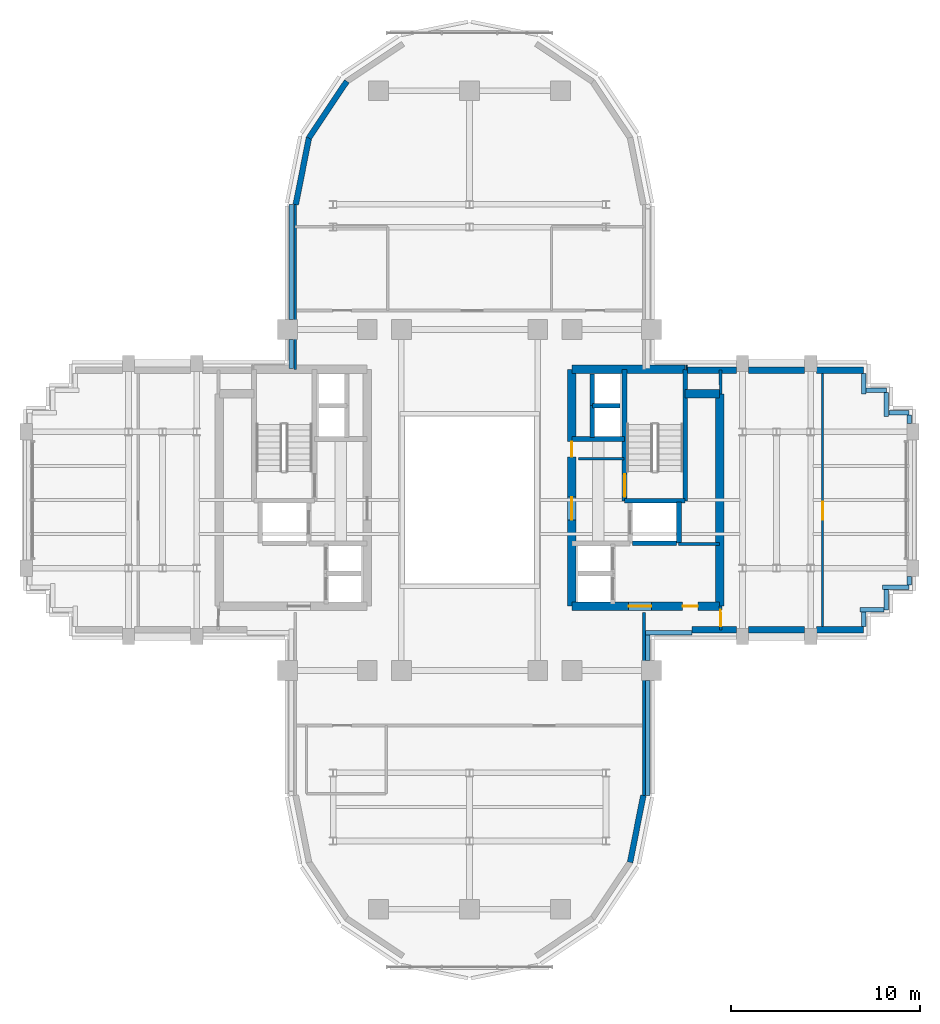
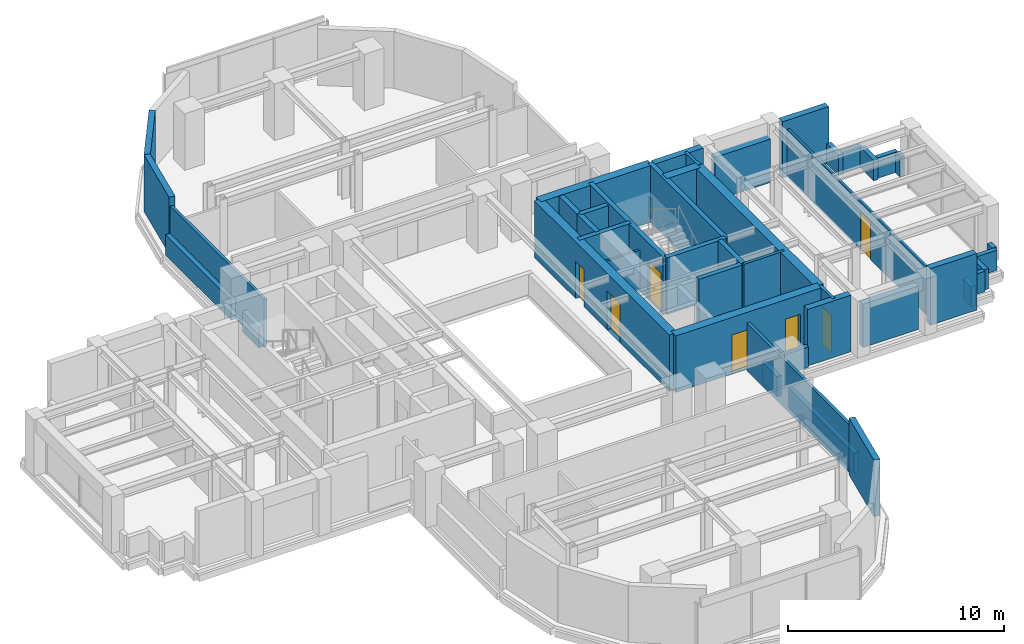
# One storey, part 9 of 13: 46 walls, 7 doors, 7 openings.
"""IFC4 building model written with IfcOpenShell, lengths in metres."""

from ifc_helpers import new_model, si_unit, direction, frame, frame_2d, origin, place, context, subcontext, project, spatial, rectangle, extrude, source, transform, mapped, material, layer, layer_set, type_object, element, fill, save


model = new_model("IFC4")

# Units and contexts
model_context = context("Model", 3, precision=1e-05, world=origin(), true_north=direction((0.0, 1.0)))
body_context = subcontext(model_context, "Body", "Model", "MODEL_VIEW")
ifc_project = project(units=[si_unit("LENGTHUNIT", "METRE"), si_unit("AREAUNIT", "SQUARE_METRE"), si_unit("VOLUMEUNIT", "CUBIC_METRE"), si_unit("PLANEANGLEUNIT", "RADIAN"), si_unit("MASSUNIT", "GRAM", prefix="KILO")], contexts=[model_context])

# Site, building, storey
site_placement = place(None, origin())
site = spatial("IfcSite", under=ifc_project, at=site_placement, CompositionType="ELEMENT")
building_placement = place(site_placement, origin())
building = spatial("IfcBuilding", under=site, at=building_placement, Name="Keilestroom Media Tower", CompositionType="ELEMENT")
storey_placement = place(building_placement, frame((0.0, 0.0, 138.0)))
storey = spatial("IfcBuildingStorey", under=building, at=storey_placement, Name="L37", CompositionType="ELEMENT", Elevation=138.0)

# Walls
ifc_material_1 = material(Name="Precast concrete C40/50", Category="concrete")
ifc_layer_1 = layer(ifc_material_1, 0.300048828125)
ifc_layer_set_1 = layer_set([ifc_layer_1], Name="Precast concrete C40/50")
wall_type_1 = type_object("IfcWallType", Name="Exterior-Masonry-Spandrel-Wall-300", PredefinedType="SOLIDWALL", material=ifc_layer_set_1)
for number, where, z_axis, x_axis, name in (
    (1, (-6.47705078125, 22.097900390625, 0.0), (0.0, 0.0, 1.0), (-0.555574187116, -0.831466970246, 0.0), "L37 Lobe Facet Precast Frame Wall 05"),
    (2, (-8.470703125, 19.12451171875, 0.0), (0.0, 0.0, 1.0), (-0.195114232679, -0.980780523974, 0.0), "L37 Lobe Facet Precast Frame Wall 06"),
    (3, (8.470703125, -19.12451171875, 0.0), (0.0, 0.0, 1.0), (0.195114232679, 0.980780523974, 0.0), "L37 Lobe Facet Precast Frame Wall 12"),
):
    element("IfcWall", number, at=place(storey_placement, frame(where, z_axis=z_axis, x_axis=x_axis)), inside=storey, type_object=wall_type_1, Name=name, PredefinedType="SOLIDWALL", context=body_context, shape_type="SweptSolid", body=[
        extrude(rectangle(XDim=3.608642578125, YDim=0.300048828125, at=frame_2d((1.80419921875, 0.0))), origin(), (0.0, 0.0, 1.0), 3.199951171875),
    ])
ifc_layer_2 = layer(ifc_material_1, 0.340087890625)
ifc_layer_set_2 = layer_set([ifc_layer_2], Name="Precast concrete C40/50")
wall_type_2 = type_object("IfcWallType", Name="Exterior-Masonry-Spandrel-Wall-340", PredefinedType="SOLIDWALL", material=ifc_layer_set_2)
wall_1_placement = place(storey_placement, frame((11.498046875, 6.85009765625, 0.0), z_axis=(0.0, 0.0, 1.0), x_axis=(1.0, 0.0, 0.0)))
element("IfcWall", 4, at=wall_1_placement, inside=storey, type_object=wall_type_2, Name="L37 Flank Masonry Wall EWL-L37-NE-1", PredefinedType="SOLIDWALL", context=body_context, shape_type="SweptSolid", body=[
    extrude(rectangle(XDim=2.5849609375, YDim=0.340087890625, at=frame_2d((1.29248046875, 0.0))), origin(), (0.0, 0.0, 1.0), 3.199951171875),
])
wall_2_placement = place(storey_placement, frame((14.717041015625, 6.85009765625, 0.0), z_axis=(0.0, 0.0, 1.0), x_axis=(1.0, 0.0, 0.0)))
element("IfcWall", 5, at=wall_2_placement, inside=storey, type_object=wall_type_2, Name="L37 Flank Masonry Wall EWL-L37-NE-2", PredefinedType="SOLIDWALL", context=body_context, shape_type="SweptSolid", body=[
    extrude(rectangle(XDim=2.966064453125, YDim=0.340087890625, at=frame_2d((1.48291015625, 0.0))), origin(), (0.0, 0.0, 1.0), 2.449951171875),
])
wall_3_placement = place(storey_placement, frame((18.31689453125, 6.85009765625, 0.0), z_axis=(0.0, 0.0, 1.0), x_axis=(1.0, 0.0, 0.0)))
element("IfcWall", 6, at=wall_3_placement, inside=storey, type_object=wall_type_2, Name="L37 Flank Masonry Wall EWL-L37-NE-3", PredefinedType="SOLIDWALL", context=body_context, shape_type="SweptSolid", body=[
    extrude(rectangle(XDim=2.483154296875, YDim=0.340087890625, at=frame_2d((1.24169921875, 0.0))), origin(), (0.0, 0.0, 1.0), 3.199951171875),
])
wall_4_placement = place(storey_placement, frame((11.75, -6.85009765625, 0.0), z_axis=(0.0, 0.0, 1.0), x_axis=(1.0, 0.0, 0.0)))
element("IfcWall", 7, at=wall_4_placement, inside=storey, type_object=wall_type_2, Name="L37 Flank Masonry Wall EWL-L37-SE-1", PredefinedType="SOLIDWALL", context=body_context, shape_type="SweptSolid", body=[
    extrude(rectangle(XDim=2.3330078125, YDim=0.340087890625, at=frame_2d((1.16650390625, 0.0))), origin(), (0.0, 0.0, 1.0), 3.199951171875),
])
wall_5_placement = place(storey_placement, frame((14.717041015625, -6.85009765625, 0.0), z_axis=(0.0, 0.0, 1.0), x_axis=(1.0, 0.0, 0.0)))
element("IfcWall", 8, at=wall_5_placement, inside=storey, type_object=wall_type_2, Name="L37 Flank Masonry Wall EWL-L37-SE-2", PredefinedType="SOLIDWALL", context=body_context, shape_type="SweptSolid", body=[
    extrude(rectangle(XDim=2.966064453125, YDim=0.340087890625, at=frame_2d((1.48291015625, 0.0))), origin(), (0.0, 0.0, 1.0), 2.449951171875),
])
wall_6_placement = place(storey_placement, frame((18.31689453125, -6.85009765625, 0.0), z_axis=(0.0, 0.0, 1.0), x_axis=(1.0, 0.0, 0.0)))
element("IfcWall", 9, at=wall_6_placement, inside=storey, type_object=wall_type_2, Name="L37 Flank Masonry Wall EWL-L37-SE-3", PredefinedType="SOLIDWALL", context=body_context, shape_type="SweptSolid", body=[
    extrude(rectangle(XDim=2.483154296875, YDim=0.340087890625, at=frame_2d((1.24169921875, 0.0))), origin(), (0.0, 0.0, 1.0), 3.199951171875),
])
ifc_material_2 = material(Name="Gypsum Plasterboard & Steel Stud", Category="steel")
ifc_layer_3 = layer(ifc_material_2, 0.1201171875)
ifc_layer_set_3 = layer_set([ifc_layer_3], Name="Gypsum Plasterboard & Steel Stud")
wall_type_3 = type_object("IfcWallType", Name="Interior-Partition-Wall-120", PredefinedType="PARTITIONING", material=ifc_layer_set_3)
wall_7_placement = place(storey_placement, frame((5.75, 2.179931640625, 0.0), z_axis=(0.0, 0.0, 1.0), x_axis=(1.0, 0.0, 0.0)))
element("IfcWall", 10, at=wall_7_placement, inside=storey, type_object=wall_type_3, Name="L37 Interior Wall WP-L37-CIE-S", PredefinedType="PARTITIONING", context=body_context, shape_type="SweptSolid", body=[
    extrude(rectangle(XDim=2.389892578125, YDim=0.1201171875, at=frame_2d((1.19482421875, 0.0))), origin(), (0.0, 0.0, 1.0), 2.300048828125),
])

# Wall, opening, door
wall_8_placement = place(storey_placement, frame((18.6298828125, -6.85009765625, 0.0), z_axis=(0.0, 0.0, 1.0), x_axis=(0.0, 1.0, 0.0)))
wall_8 = element("IfcWall", 11, at=wall_8_placement, inside=storey, type_object=wall_type_3, Name="L37 Interior Wall WP-L37-EA-V", PredefinedType="PARTITIONING", context=body_context, shape_type="SweptSolid", body=[
    extrude(rectangle(XDim=13.7001953125, YDim=0.1201171875, at=frame_2d((6.85009765625, 0.0))), origin(), (0.0, 0.0, 1.0), 2.699951171875),
])
opening_1_placement = place(wall_8_placement, frame((5.800048828125, 0.0, 0.0)))
opening_1 = element("IfcOpeningElement", 12, at=opening_1_placement, cuts=wall_8, Name="Opening DI-03", PredefinedType="OPENING", context=body_context, shape_type="SweptSolid", body=[
    extrude(rectangle(XDim=0.949951171875, YDim=2.14990234375, at=frame_2d((0.47509765625, 1.074951171875))), frame((0.0, 0.070068359375, 0.0), z_axis=(0.0, -1.0, 0.0), x_axis=(1.0, 0.0, 0.0)), (0.0, 0.0, 1.0), 0.14013671875),
])
ifc_material_3 = material(Name="Lacquered European Oak Leaf", Category="wood")
door_type_1 = type_object("IfcDoorType", Name="Interior-Room-And-Suite-Door-DI-03", OperationType="NOTDEFINED", PredefinedType="DOOR", material=ifc_material_3)
shared_shape_1 = source(origin(), body_context, "Body", "SweptSolid", [
    extrude(rectangle(XDim=0.949951171875, YDim=2.14990234375, at=frame_2d((0.47509765625, 1.074951171875))), frame((0.0, 0.02490234375, 0.0), z_axis=(0.0, -1.0, 0.0), x_axis=(1.0, 0.0, 0.0)), (0.0, 0.0, 1.0), 0.050048828125),
])
door_1_placement = place(opening_1_placement, origin())
door_1 = element("IfcDoor", 13, at=door_1_placement, inside=storey, type_object=door_type_1, Name="L37 Interior Door DI-L37-DEA-E", OperationType="SINGLE_SWING_LEFT", OverallHeight=2.14990234375, OverallWidth=0.949951171875, PredefinedType="DOOR", context=body_context, shape_type="MappedRepresentation", body=[
    mapped(shared_shape_1, transform((0.0, 0.0, 0.0), x_axis=(1.0, 0.0, 0.0), y_axis=(0.0, 1.0, 0.0), z_axis=(0.0, 0.0, 1.0), scale=1.0)),
])
fill(opening_1, door_1)

# Walls
ifc_layer_4 = layer(ifc_material_2, 0.14990234375)
ifc_layer_set_4 = layer_set([ifc_layer_4], Name="Gypsum Plasterboard & Steel Stud")
wall_type_4 = type_object("IfcWallType", Name="Interior-Partition-Wall-150", PredefinedType="PARTITIONING", material=ifc_layer_set_4)
wall_9_placement = place(storey_placement, frame((11.02001953125, -2.320068359375, 0.0), z_axis=(0.0, 0.0, 1.0), x_axis=(1.0, 0.0, 0.0)))
element("IfcWall", 14, at=wall_9_placement, inside=storey, type_object=wall_type_4, Name="L37 Interior Wall WP-L37-RECLE-N", PredefinedType="PARTITIONING", context=body_context, shape_type="SweptSolid", body=[
    extrude(rectangle(XDim=2.179931640625, YDim=0.14990234375, at=frame_2d((1.08984375, 0.0))), origin(), (0.0, 0.0, 1.0), 3.199951171875),
])
wall_10_placement = place(storey_placement, frame((-9.199951171875, 6.89990234375, 0.0), z_axis=(0.0, 0.0, 1.0), x_axis=(0.0, 1.0, 0.0)))
element("IfcWall", 15, at=wall_10_placement, inside=storey, type_object=wall_type_4, Name="L37 Interior Wall WP-L37-NL-CHKW", PredefinedType="PARTITIONING", context=body_context, shape_type="SweptSolid", body=[
    extrude(rectangle(XDim=8.780029296875, YDim=0.14990234375, at=frame_2d((4.39013671875, 0.0))), origin(), (0.0, 0.0, 1.0), 2.699951171875),
])
wall_11_placement = place(storey_placement, frame((9.199951171875, -15.679931640625, 0.0), z_axis=(0.0, 0.0, 1.0), x_axis=(0.0, 1.0, 0.0)))
element("IfcWall", 16, at=wall_11_placement, inside=storey, type_object=wall_type_4, Name="L37 Interior Wall WP-L37-SL-CHKE", PredefinedType="PARTITIONING", context=body_context, shape_type="SweptSolid", body=[
    extrude(rectangle(XDim=9.739990234375, YDim=0.14990234375, at=frame_2d((4.8701171875, 0.0))), origin(), (0.0, 0.0, 1.0), 2.699951171875),
])
wall_12_placement = place(storey_placement, frame((13.260009765625, 5.60009765625, 0.0), z_axis=(0.0, 0.0, 1.0), x_axis=(-0.016013571389, 0.999871774545, 0.0)))
element("IfcWall", 17, at=wall_12_placement, inside=storey, type_object=wall_type_4, Name="L37 Interior Wall WP-L37-EA-ENTN", PredefinedType="PARTITIONING", context=body_context, shape_type="SweptSolid", body=[
    extrude(rectangle(XDim=1.250244140625, YDim=0.14990234375, at=frame_2d((0.625, 0.0))), origin(), (0.0, 0.0, 1.0), 3.199951171875),
])

# Wall, opening, door
wall_13_placement = place(storey_placement, frame((13.260009765625, -6.85009765625, 0.0), z_axis=(0.0, 0.0, 1.0), x_axis=(-0.016013571389, 0.999871774545, 0.0)))
wall_13 = element("IfcWall", 18, at=wall_13_placement, inside=storey, type_object=wall_type_4, Name="L37 Interior Wall WP-L37-EA-ENTS", PredefinedType="PARTITIONING", context=body_context, shape_type="SweptSolid", body=[
    extrude(rectangle(XDim=1.250244140625, YDim=0.14990234375, at=frame_2d((0.625, 0.0))), origin(), (0.0, 0.0, 1.0), 3.199951171875),
])
opening_2_placement = place(wall_13_placement, frame((0.199951171875, 0.0, 0.0)))
opening_2 = element("IfcOpeningElement", 19, at=opening_2_placement, cuts=wall_13, Name="Opening DI-05", PredefinedType="OPENING", context=body_context, shape_type="SweptSolid", body=[
    extrude(rectangle(XDim=0.85009765625, YDim=2.10009765625, at=frame_2d((0.425048828125, 1.050048828125))), frame((0.0, 0.0849609375, 0.0), z_axis=(0.0, -1.0, 0.0), x_axis=(1.0, 0.0, 0.0)), (0.0, 0.0, 1.0), 0.169921875),
])
ifc_material_4 = material(Name="Moisture-Resistant Oak Leaf", Category="wood")
door_type_2 = type_object("IfcDoorType", Name="Interior-En-Suite-And-Cupboard-Door-DI-05", OperationType="NOTDEFINED", PredefinedType="DOOR", material=ifc_material_4)
shared_shape_2 = source(origin(), body_context, "Body", "SweptSolid", [
    extrude(rectangle(XDim=0.85009765625, YDim=2.10009765625, at=frame_2d((0.425048828125, 1.050048828125))), frame((0.0, 0.02490234375, 0.0), z_axis=(0.0, -1.0, 0.0), x_axis=(1.0, 0.0, 0.0)), (0.0, 0.0, 1.0), 0.050048828125),
])
door_2_placement = place(opening_2_placement, origin())
door_2 = element("IfcDoor", 20, at=door_2_placement, inside=storey, type_object=door_type_2, Name="L37 Interior Door DI-L37-DEA-W", OperationType="SINGLE_SWING_RIGHT", OverallHeight=2.10009765625, OverallWidth=0.85009765625, PredefinedType="DOOR", context=body_context, shape_type="MappedRepresentation", body=[
    mapped(shared_shape_2, transform((0.0, 0.0, 0.0), x_axis=(1.0, 0.0, 0.0), y_axis=(0.0, 1.0, 0.0), z_axis=(0.0, 0.0, 1.0), scale=1.0)),
])
fill(opening_2, door_2)

# Wall
ifc_material_5 = material(Name="Concrete C55/67", Category="concrete")
ifc_layer_5 = layer(ifc_material_5, 0.449951171875)
ifc_layer_set_5 = layer_set([ifc_layer_5], Name="Concrete C55/67")
wall_type_5 = type_object("IfcWallType", Name="Reinforced-Concrete-Core-Shear-Wall-450", PredefinedType="SHEAR", material=ifc_layer_set_5)
wall_14_placement = place(storey_placement, frame((13.199951171875, -5.60009765625, 0.0), z_axis=(0.0, 0.0, 1.0), x_axis=(0.0, 1.0, 0.0)))
element("IfcWall", 21, at=wall_14_placement, inside=storey, type_object=wall_type_5, Name="L37 Core Shear Wall WL-L37-CORE-E-OUT", PredefinedType="SHEAR", context=body_context, shape_type="SweptSolid", body=[
    extrude(rectangle(XDim=11.2001953125, YDim=0.449951171875, at=frame_2d((5.60009765625, 0.0))), origin(), (0.0, 0.0, 1.0), 3.199951171875),
])

# Wall, openings, doors
wall_15_placement = place(storey_placement, frame((5.39990234375, -5.60009765625, 0.0), z_axis=(0.0, 0.0, 1.0), x_axis=(0.0, 1.0, 0.0)))
wall_15 = element("IfcWall", 22, at=wall_15_placement, inside=storey, type_object=wall_type_5, Name="L37 Core Shear Wall WL-L37-CORE-E-IN", PredefinedType="SHEAR", context=body_context, shape_type="SweptSolid", body=[
    extrude(rectangle(XDim=12.5, YDim=0.449951171875, at=frame_2d((6.25, 0.0))), origin(), (0.0, 0.0, 1.0), 3.199951171875),
])
opening_3_placement = place(wall_15_placement, frame((4.550048828125, 0.0, 0.0)))
opening_3 = element("IfcOpeningElement", 23, at=opening_3_placement, cuts=wall_15, Name="Opening DI-02", PredefinedType="OPENING", context=body_context, shape_type="SweptSolid", body=[
    extrude(rectangle(XDim=1.199951171875, YDim=2.199951171875, at=frame_2d((0.60009765625, 1.10009765625))), frame((0.0, 0.23486328125, 0.0), z_axis=(0.0, -1.0, 0.0), x_axis=(1.0, 0.0, 0.0)), (0.0, 0.0, 1.0), 0.469970703125),
])
opening_4_placement = place(wall_15_placement, frame((7.8798828125, 0.0, 0.0)))
opening_4 = element("IfcOpeningElement", 24, at=opening_4_placement, cuts=wall_15, Name="Opening DI-06", PredefinedType="OPENING", context=body_context, shape_type="SweptSolid", body=[
    extrude(rectangle(XDim=0.800048828125, YDim=2.10009765625, at=frame_2d((0.39990234375, 1.050048828125))), frame((0.0, 0.23486328125, 0.0), z_axis=(0.0, -1.0, 0.0), x_axis=(1.0, 0.0, 0.0)), (0.0, 0.0, 1.0), 0.469970703125),
])
ifc_material_6 = material(Name="Powder-Coated Steel Fire Leaf", Category="steel")
door_type_3 = type_object("IfcDoorType", Name="Interior-Compartment-Fire-Door-DI-02", OperationType="NOTDEFINED", PredefinedType="DOOR", material=ifc_material_6)
shared_shape_3 = source(origin(), body_context, "Body", "SweptSolid", [
    extrude(rectangle(XDim=1.199951171875, YDim=2.199951171875, at=frame_2d((0.60009765625, 1.10009765625))), frame((0.0, 0.02490234375, 0.0), z_axis=(0.0, -1.0, 0.0), x_axis=(1.0, 0.0, 0.0)), (0.0, 0.0, 1.0), 0.050048828125),
])
door_3_placement = place(opening_3_placement, origin())
door_3 = element("IfcDoor", 25, at=door_3_placement, inside=storey, type_object=door_type_3, Name="L37 E Firefighting Lobby Door", OperationType="SINGLE_SWING_LEFT", OverallHeight=2.199951171875, OverallWidth=1.199951171875, PredefinedType="DOOR", context=body_context, shape_type="MappedRepresentation", body=[
    mapped(shared_shape_3, transform((0.0, 0.0, 0.0), x_axis=(1.0, 0.0, 0.0), y_axis=(0.0, 1.0, 0.0), z_axis=(0.0, 0.0, 1.0), scale=1.0)),
])
fill(opening_3, door_3)
ifc_material_7 = material(Name="Powder-Coated Steel Service Leaf", Category="steel")
door_type_4 = type_object("IfcDoorType", Name="Interior-Riser-Access-Door-DI-06", OperationType="NOTDEFINED", PredefinedType="DOOR", material=ifc_material_7)
shared_shape_4 = source(origin(), body_context, "Body", "SweptSolid", [
    extrude(rectangle(XDim=0.800048828125, YDim=2.10009765625, at=frame_2d((0.39990234375, 1.050048828125))), frame((0.0, 0.02490234375, 0.0), z_axis=(0.0, -1.0, 0.0), x_axis=(1.0, 0.0, 0.0)), (0.0, 0.0, 1.0), 0.050048828125),
])
door_4_placement = place(opening_4_placement, origin())
door_4 = element("IfcDoor", 26, at=door_4_placement, inside=storey, type_object=door_type_4, Name="L37 East Core Closet Door", OperationType="SINGLE_SWING_RIGHT", OverallHeight=2.10009765625, OverallWidth=0.800048828125, PredefinedType="DOOR", context=body_context, shape_type="MappedRepresentation", body=[
    mapped(shared_shape_4, transform((0.0, 0.0, 0.0), x_axis=(1.0, 0.0, 0.0), y_axis=(0.0, 1.0, 0.0), z_axis=(0.0, 0.0, 1.0), scale=1.0)),
])
fill(opening_4, door_4)

# Walls
wall_16_placement = place(storey_placement, frame((5.39990234375, 6.89990234375, 0.0), z_axis=(0.0, 0.0, 1.0), x_axis=(1.0, 0.0, 0.0)))
element("IfcWall", 27, at=wall_16_placement, inside=storey, type_object=wall_type_5, Name="L37 Core Shear Wall WL-L37-CORE-E-N", PredefinedType="SHEAR", context=body_context, shape_type="SweptSolid", body=[
    extrude(rectangle(XDim=5.981201171875, YDim=0.449951171875, at=frame_2d((2.99072265625, 0.0))), origin(), (0.0, 0.0, 1.0), 3.199951171875),
])
wall_17_placement = place(storey_placement, frame((11.381103515625, 5.60009765625, 0.0), z_axis=(0.0, 0.0, 1.0), x_axis=(1.0, 0.0, 0.0)))
element("IfcWall", 28, at=wall_17_placement, inside=storey, type_object=wall_type_5, Name="L37 Core Shear Wall WL-L37-CNE-N", PredefinedType="SHEAR", context=body_context, shape_type="SweptSolid", body=[
    extrude(rectangle(XDim=1.81884765625, YDim=0.449951171875, at=frame_2d((0.909423828125, 0.0))), origin(), (0.0, 0.0, 1.0), 3.199951171875),
])

# Wall, openings, doors
wall_18_placement = place(storey_placement, frame((5.39990234375, -5.60009765625, 0.0), z_axis=(0.0, 0.0, 1.0), x_axis=(1.0, 0.0, 0.0)))
wall_18 = element("IfcWall", 29, at=wall_18_placement, inside=storey, type_object=wall_type_5, Name="L37 Core Shear Wall WL-L37-CORE-E-S", PredefinedType="SHEAR", context=body_context, shape_type="SweptSolid", body=[
    extrude(rectangle(XDim=7.800048828125, YDim=0.449951171875, at=frame_2d((3.89990234375, 0.0))), origin(), (0.0, 0.0, 1.0), 3.199951171875),
])
opening_5_placement = place(wall_18_placement, frame((3.0, 0.0, 0.0)))
opening_5 = element("IfcOpeningElement", 30, at=opening_5_placement, cuts=wall_18, Name="Opening DI-02", PredefinedType="OPENING", context=body_context, shape_type="SweptSolid", body=[
    extrude(rectangle(XDim=1.199951171875, YDim=2.199951171875, at=frame_2d((0.60009765625, 1.10009765625))), frame((0.0, 0.23486328125, 0.0), z_axis=(0.0, -1.0, 0.0), x_axis=(1.0, 0.0, 0.0)), (0.0, 0.0, 1.0), 0.469970703125),
])
opening_6_placement = place(wall_18_placement, frame((5.85009765625, 0.0, 0.0)))
opening_6 = element("IfcOpeningElement", 31, at=opening_6_placement, cuts=wall_18, Name="Opening DI-06", PredefinedType="OPENING", context=body_context, shape_type="SweptSolid", body=[
    extrude(rectangle(XDim=0.800048828125, YDim=2.10009765625, at=frame_2d((0.39990234375, 1.050048828125))), frame((0.0, 0.23486328125, 0.0), z_axis=(0.0, -1.0, 0.0), x_axis=(1.0, 0.0, 0.0)), (0.0, 0.0, 1.0), 0.469970703125),
])
door_5_placement = place(opening_5_placement, origin())
door_5 = element("IfcDoor", 32, at=door_5_placement, inside=storey, type_object=door_type_3, Name="L37 E Passenger Lift Lobby Door", OperationType="SINGLE_SWING_RIGHT", OverallHeight=2.199951171875, OverallWidth=1.199951171875, PredefinedType="DOOR", context=body_context, shape_type="MappedRepresentation", body=[
    mapped(shared_shape_3, transform((0.0, 0.0, 0.0), x_axis=(1.0, 0.0, 0.0), y_axis=(0.0, 1.0, 0.0), z_axis=(0.0, 0.0, 1.0), scale=1.0)),
])
fill(opening_5, door_5)
door_6_placement = place(opening_6_placement, origin())
door_6 = element("IfcDoor", 33, at=door_6_placement, inside=storey, type_object=door_type_4, Name="L37 Reclaimed East Core Room Door", OperationType="SINGLE_SWING_RIGHT", OverallHeight=2.10009765625, OverallWidth=0.800048828125, PredefinedType="DOOR", context=body_context, shape_type="MappedRepresentation", body=[
    mapped(shared_shape_4, transform((0.0, 0.0, 0.0), x_axis=(1.0, 0.0, 0.0), y_axis=(0.0, 1.0, 0.0), z_axis=(0.0, 0.0, 1.0), scale=1.0)),
])
fill(opening_6, door_6)

# Wall
ifc_material_8 = material(Name="Concrete C50/60", Category="concrete")
ifc_layer_6 = layer(ifc_material_8, 0.25)
ifc_layer_set_6 = layer_set([ifc_layer_6], Name="Concrete C50/60")
wall_type_6 = type_object("IfcWallType", Name="Reinforced-Concrete-Shaft-Wall-250", PredefinedType="SOLIDWALL", material=ifc_layer_set_6)
wall_19_placement = place(storey_placement, frame((5.39990234375, 3.219970703125, 0.0), z_axis=(0.0, 0.0, 1.0), x_axis=(1.0, 0.0, 0.0)))
element("IfcWall", 34, at=wall_19_placement, inside=storey, type_object=wall_type_6, Name="L37 Core Shear Wall WL-L37-CORE-E-FFN", PredefinedType="SOLIDWALL", context=body_context, shape_type="SweptSolid", body=[
    extrude(rectangle(XDim=2.780029296875, YDim=0.25, at=frame_2d((1.39013671875, 0.0))), origin(), (0.0, 0.0, 1.0), 3.199951171875),
])

# Wall, opening, door
wall_20_placement = place(storey_placement, frame((8.178955078125, -0.041015625, 0.0), z_axis=(0.0, 0.0, 1.0), x_axis=(0.0, 1.0, 0.0)))
wall_20 = element("IfcWall", 35, at=wall_20_placement, inside=storey, type_object=wall_type_6, Name="L37 Core Shear Wall WL-L37-STW-E-NEAR", PredefinedType="SOLIDWALL", context=body_context, shape_type="SweptSolid", body=[
    extrude(rectangle(XDim=6.94091796875, YDim=0.25, at=frame_2d((3.470458984375, 0.0))), origin(), (0.0, 0.0, 1.0), 3.199951171875),
])
opening_7_placement = place(wall_20_placement, frame((0.199951171875, 0.0, 0.0)))
opening_7 = element("IfcOpeningElement", 36, at=opening_7_placement, cuts=wall_20, Name="Opening DI-01S", PredefinedType="OPENING", context=body_context, shape_type="SweptSolid", body=[
    extrude(rectangle(XDim=1.199951171875, YDim=2.199951171875, at=frame_2d((0.60009765625, 1.10009765625))), frame((0.0, 0.135009765625, 0.0), z_axis=(0.0, -1.0, 0.0), x_axis=(1.0, 0.0, 0.0)), (0.0, 0.0, 1.0), 0.27001953125),
])
door_type_5 = type_object("IfcDoorType", Name="Interior-Stair-And-Core-Fire-Door-DI-01", OperationType="NOTDEFINED", PredefinedType="DOOR", material=ifc_material_6)
door_7_placement = place(opening_7_placement, origin())
door_7 = element("IfcDoor", 37, at=door_7_placement, inside=storey, type_object=door_type_5, Name="L37 Escape Stair ST-2 Fire Door", OperationType="SINGLE_SWING_RIGHT", OverallHeight=2.199951171875, OverallWidth=1.199951171875, PredefinedType="DOOR", context=body_context, shape_type="MappedRepresentation", body=[
    mapped(shared_shape_3, transform((0.0, 0.0, 0.0), x_axis=(1.0, 0.0, 0.0), y_axis=(0.0, 1.0, 0.0), z_axis=(0.0, 0.0, 1.0), scale=1.0)),
])
fill(opening_7, door_7)

# Walls
wall_21_placement = place(storey_placement, frame((11.381103515625, -0.041015625, 0.0), z_axis=(0.0, 0.0, 1.0), x_axis=(0.0, 1.0, 0.0)))
element("IfcWall", 38, at=wall_21_placement, inside=storey, type_object=wall_type_6, Name="L37 Core Shear Wall WL-L37-STW-E-FAR", PredefinedType="SOLIDWALL", context=body_context, shape_type="SweptSolid", body=[
    extrude(rectangle(XDim=6.94091796875, YDim=0.25, at=frame_2d((3.470458984375, 0.0))), origin(), (0.0, 0.0, 1.0), 3.199951171875),
])
wall_22_placement = place(storey_placement, frame((8.178955078125, -0.041015625, 0.0), z_axis=(0.0, 0.0, 1.0), x_axis=(1.0, 0.0, 0.0)))
element("IfcWall", 39, at=wall_22_placement, inside=storey, type_object=wall_type_6, Name="L37 Core Shear Wall WL-L37-STW-E-S", PredefinedType="SOLIDWALL", context=body_context, shape_type="SweptSolid", body=[
    extrude(rectangle(XDim=3.2021484375, YDim=0.25, at=frame_2d((1.60107421875, 0.0))), origin(), (0.0, 0.0, 1.0), 3.199951171875),
])
wall_23_placement = place(storey_placement, frame((11.050048828125, -2.280029296875, 0.0), z_axis=(0.0, 0.0, 1.0), x_axis=(0.0, 1.0, 0.0)))
element("IfcWall", 40, at=wall_23_placement, inside=storey, type_object=wall_type_6, Name="L37 Core Shear Wall WL-L37-LSH-FFL-2-E", PredefinedType="SOLIDWALL", context=body_context, shape_type="SweptSolid", body=[
    extrude(rectangle(XDim=2.179931640625, YDim=0.25, at=frame_2d((1.08984375, 0.0))), origin(), (0.0, 0.0, 1.0), 3.199951171875),
])
wall_24_placement = place(storey_placement, frame((8.60888671875, -2.280029296875, 0.0), z_axis=(0.0, 0.0, 1.0), x_axis=(1.0, 0.0, 0.0)))
element("IfcWall", 41, at=wall_24_placement, inside=storey, type_object=wall_type_6, Name="L37 Core Shear Wall WL-L37-LSH-FFL-2-S", PredefinedType="SOLIDWALL", context=body_context, shape_type="SweptSolid", body=[
    extrude(rectangle(XDim=2.31201171875, YDim=0.25, at=frame_2d((1.156005859375, 0.0))), origin(), (0.0, 0.0, 1.0), 3.199951171875),
])
wall_25_placement = place(storey_placement, frame((6.47998046875, 3.300048828125, 0.0), z_axis=(0.0, 0.0, 1.0), x_axis=(0.0, 1.0, 0.0)))
element("IfcWall", 42, at=wall_25_placement, inside=storey, type_object=wall_type_6, Name="L37 Core Shear Wall WL-L37-LSH-PL-H3-W", PredefinedType="SOLIDWALL", context=body_context, shape_type="SweptSolid", body=[
    extrude(rectangle(XDim=1.679931640625, YDim=0.25, at=frame_2d((0.83984375, 0.0))), origin(), (0.0, 0.0, 1.0), 3.199951171875),
])
wall_26_placement = place(storey_placement, frame((6.47998046875, 4.97998046875, 0.0), z_axis=(0.0, 0.0, 1.0), x_axis=(1.0, 0.0, 0.0)))
element("IfcWall", 43, at=wall_26_placement, inside=storey, type_object=wall_type_6, Name="L37 Core Shear Wall WL-L37-LSH-PL-H3-N", PredefinedType="SOLIDWALL", context=body_context, shape_type="SweptSolid", body=[
    extrude(rectangle(XDim=1.469970703125, YDim=0.25, at=frame_2d((0.73486328125, 0.0))), origin(), (0.0, 0.0, 1.0), 3.199951171875),
])
wall_27_placement = place(storey_placement, frame((6.47998046875, 4.97998046875, 0.0), z_axis=(0.0, 0.0, 1.0), x_axis=(0.0, 1.0, 0.0)))
element("IfcWall", 44, at=wall_27_placement, inside=storey, type_object=wall_type_6, Name="L37 Core Shear Wall WL-L37-LSH-PL-H4-W", PredefinedType="SOLIDWALL", context=body_context, shape_type="SweptSolid", body=[
    extrude(rectangle(XDim=1.669921875, YDim=0.25, at=frame_2d((0.8349609375, 0.0))), origin(), (0.0, 0.0, 1.0), 3.199951171875),
])
ifc_layer_7 = layer(ifc_material_1, 0.239990234375)
ifc_layer_set_7 = layer_set([ifc_layer_7], Name="Precast concrete C40/50")
wall_type_7 = type_object("IfcWallType", Name="Roof-And-Terrace-Parapet-Wall-240", PredefinedType="PARAPET", material=ifc_layer_set_7)
wall_28_placement = place(storey_placement, frame((23.199951171875, -4.60009765625, 0.0), z_axis=(0.0, 0.0, 1.0), x_axis=(-1.0, 0.0, 0.0)))
element("IfcWall", 45, at=wall_28_placement, inside=storey, type_object=wall_type_7, Name="L37 Perimeter Edge Parapet Wall 01", PredefinedType="PARAPET", context=body_context, shape_type="SweptSolid", body=[
    extrude(rectangle(XDim=1.39990234375, YDim=0.239990234375, at=frame_2d((0.699951171875, 0.0))), origin(), (0.0, 0.0, 1.0), 1.14990234375),
])
wall_29_placement = place(storey_placement, frame((22.0, -4.722900390625, 0.0), z_axis=(0.0, 0.0, 1.0), x_axis=(0.0, -1.0, 0.0)))
element("IfcWall", 46, at=wall_29_placement, inside=storey, type_object=wall_type_7, Name="L37 Perimeter Edge Parapet Wall 02", PredefinedType="PARAPET", context=body_context, shape_type="SweptSolid", body=[
    extrude(rectangle(XDim=1.0771484375, YDim=0.239990234375, at=frame_2d((0.53857421875, 0.0))), origin(), (0.0, 0.0, 1.0), 1.14990234375),
])
wall_30_placement = place(storey_placement, frame((21.876953125, -5.800048828125, 0.0), z_axis=(0.0, 0.0, 1.0), x_axis=(-1.0, 0.0, 0.0)))
element("IfcWall", 47, at=wall_30_placement, inside=storey, type_object=wall_type_7, Name="L37 Perimeter Edge Parapet Wall 03", PredefinedType="PARAPET", context=body_context, shape_type="SweptSolid", body=[
    extrude(rectangle(XDim=1.27685546875, YDim=0.239990234375, at=frame_2d((0.638427734375, 0.0))), origin(), (0.0, 0.0, 1.0), 1.14990234375),
])
wall_31_placement = place(storey_placement, frame((20.800048828125, -5.923095703125, 0.0), z_axis=(0.0, 0.0, 1.0), x_axis=(0.0, -1.0, 0.0)))
element("IfcWall", 48, at=wall_31_placement, inside=storey, type_object=wall_type_7, Name="L37 Perimeter Edge Parapet Wall 04", PredefinedType="PARAPET", context=body_context, shape_type="SweptSolid", body=[
    extrude(rectangle(XDim=0.75390625, YDim=0.239990234375, at=frame_2d((0.376953125, 0.0))), origin(), (0.0, 0.0, 1.0), 1.14990234375),
])
wall_32_placement = place(storey_placement, frame((11.7470703125, -7.0, 0.0), z_axis=(0.0, 0.0, 1.0), x_axis=(-1.0, 0.0, 0.0)))
element("IfcWall", 49, at=wall_32_placement, inside=storey, type_object=wall_type_7, Name="L37 Perimeter Edge Parapet Wall 05", PredefinedType="PARAPET", context=body_context, shape_type="SweptSolid", body=[
    extrude(rectangle(XDim=2.468994140625, YDim=0.239990234375, at=frame_2d((1.234375, 0.0))), origin(), (0.0, 0.0, 1.0), 1.14990234375),
])
wall_33_placement = place(storey_placement, frame((9.39990234375, -7.123046875, 0.0), z_axis=(0.0, 0.0, 1.0), x_axis=(0.0, -1.0, 0.0)))
element("IfcWall", 50, at=wall_33_placement, inside=storey, type_object=wall_type_7, Name="L37 Perimeter Edge Parapet Wall 06", PredefinedType="PARAPET", context=body_context, shape_type="SweptSolid", body=[
    extrude(rectangle(XDim=1.348876953125, YDim=0.239990234375, at=frame_2d((0.67431640625, 0.0))), origin(), (0.0, 0.0, 1.0), 1.14990234375),
])
wall_34_placement = place(storey_placement, frame((9.39990234375, -9.528076171875, 0.0), z_axis=(0.0, 0.0, 1.0), x_axis=(0.0, -1.0, 0.0)))
element("IfcWall", 51, at=wall_34_placement, inside=storey, type_object=wall_type_7, Name="L37 Perimeter Edge Parapet Wall 07", PredefinedType="PARAPET", context=body_context, shape_type="SweptSolid", body=[
    extrude(rectangle(XDim=6.07470703125, YDim=0.239990234375, at=frame_2d((3.037353515625, 0.0))), origin(), (0.0, 0.0, 1.0), 1.14990234375),
])
wall_35_placement = place(storey_placement, frame((-9.39990234375, 6.952880859375, 0.0), z_axis=(0.0, 0.0, 1.0), x_axis=(0.0, 1.0, 0.0)))
element("IfcWall", 52, at=wall_35_placement, inside=storey, type_object=wall_type_7, Name="L37 Perimeter Edge Parapet Wall 23", PredefinedType="PARAPET", context=body_context, shape_type="SweptSolid", body=[
    extrude(rectangle(XDim=1.51904296875, YDim=0.239990234375, at=frame_2d((0.759521484375, 0.0))), origin(), (0.0, 0.0, 1.0), 1.14990234375),
])
wall_36_placement = place(storey_placement, frame((-9.39990234375, 9.528076171875, 0.0), z_axis=(0.0, 0.0, 1.0), x_axis=(0.0, 1.0, 0.0)))
element("IfcWall", 53, at=wall_36_placement, inside=storey, type_object=wall_type_7, Name="L37 Perimeter Edge Parapet Wall 24", PredefinedType="PARAPET", context=body_context, shape_type="SweptSolid", body=[
    extrude(rectangle(XDim=6.07470703125, YDim=0.239990234375, at=frame_2d((3.037353515625, 0.0))), origin(), (0.0, 0.0, 1.0), 1.14990234375),
])
wall_37_placement = place(storey_placement, frame((11.403076171875, 7.0, 0.0), z_axis=(0.0, 0.0, 1.0), x_axis=(1.0, 0.0, 0.0)))
element("IfcWall", 54, at=wall_37_placement, inside=storey, type_object=wall_type_7, Name="L37 Perimeter Edge Parapet Wall 28", PredefinedType="PARAPET", context=body_context, shape_type="SweptSolid", body=[
    extrude(rectangle(XDim=0.092041015625, YDim=0.239990234375, at=frame_2d((0.0458984375, 0.0))), origin(), (0.0, 0.0, 1.0), 1.14990234375),
])
for number, where, z_axis, x_axis, name in (
    (55, (20.800048828125, 6.677001953125, 0.0), (0.0, 0.0, 1.0), (0.0, -1.0, 0.0), "L37 Perimeter Edge Parapet Wall 29"),
    (56, (20.923095703125, 5.800048828125, 0.0), (0.0, 0.0, 1.0), (1.0, 0.0, 0.0), "L37 Perimeter Edge Parapet Wall 30"),
):
    element("IfcWall", number, at=place(storey_placement, frame(where, z_axis=z_axis, x_axis=x_axis)), inside=storey, type_object=wall_type_7, Name=name, PredefinedType="PARAPET", context=body_context, shape_type="SweptSolid", body=[
        extrude(rectangle(XDim=1.076904296875, YDim=0.239990234375, at=frame_2d((0.53857421875, 0.0))), origin(), (0.0, 0.0, 1.0), 1.14990234375),
    ])
wall_38_placement = place(storey_placement, frame((22.0, 5.677001953125, 0.0), z_axis=(0.0, 0.0, 1.0), x_axis=(0.0, -1.0, 0.0)))
element("IfcWall", 57, at=wall_38_placement, inside=storey, type_object=wall_type_7, Name="L37 Perimeter Edge Parapet Wall 31", PredefinedType="PARAPET", context=body_context, shape_type="SweptSolid", body=[
    extrude(rectangle(XDim=1.277099609375, YDim=0.239990234375, at=frame_2d((0.638671875, 0.0))), origin(), (0.0, 0.0, 1.0), 1.14990234375),
])
wall_39_placement = place(storey_placement, frame((22.123046875, 4.60009765625, 0.0), z_axis=(0.0, 0.0, 1.0), x_axis=(1.0, 0.0, 0.0)))
element("IfcWall", 58, at=wall_39_placement, inside=storey, type_object=wall_type_7, Name="L37 Perimeter Edge Parapet Wall 32", PredefinedType="PARAPET", context=body_context, shape_type="SweptSolid", body=[
    extrude(rectangle(XDim=1.076904296875, YDim=0.239990234375, at=frame_2d((0.53857421875, 0.0))), origin(), (0.0, 0.0, 1.0), 1.14990234375),
])
for number, where, z_axis, x_axis, name in (
    (59, (23.199951171875, 4.47705078125, 0.0), (0.0, 0.0, 1.0), (0.0, -1.0, 0.0), "L37 Perimeter Edge Parapet Wall 33"),
    (60, (23.199951171875, -4.028076171875, 0.0), (0.0, 0.0, 1.0), (0.0, -1.0, 0.0), "L37 Perimeter Edge Parapet Wall 34"),
):
    element("IfcWall", number, at=place(storey_placement, frame(where, z_axis=z_axis, x_axis=x_axis)), inside=storey, type_object=wall_type_7, Name=name, PredefinedType="PARAPET", context=body_context, shape_type="SweptSolid", body=[
        extrude(rectangle(XDim=0.448974609375, YDim=0.239990234375, at=frame_2d((0.224609375, 0.0))), origin(), (0.0, 0.0, 1.0), 1.14990234375),
    ])

save(model, "model.ifc")
